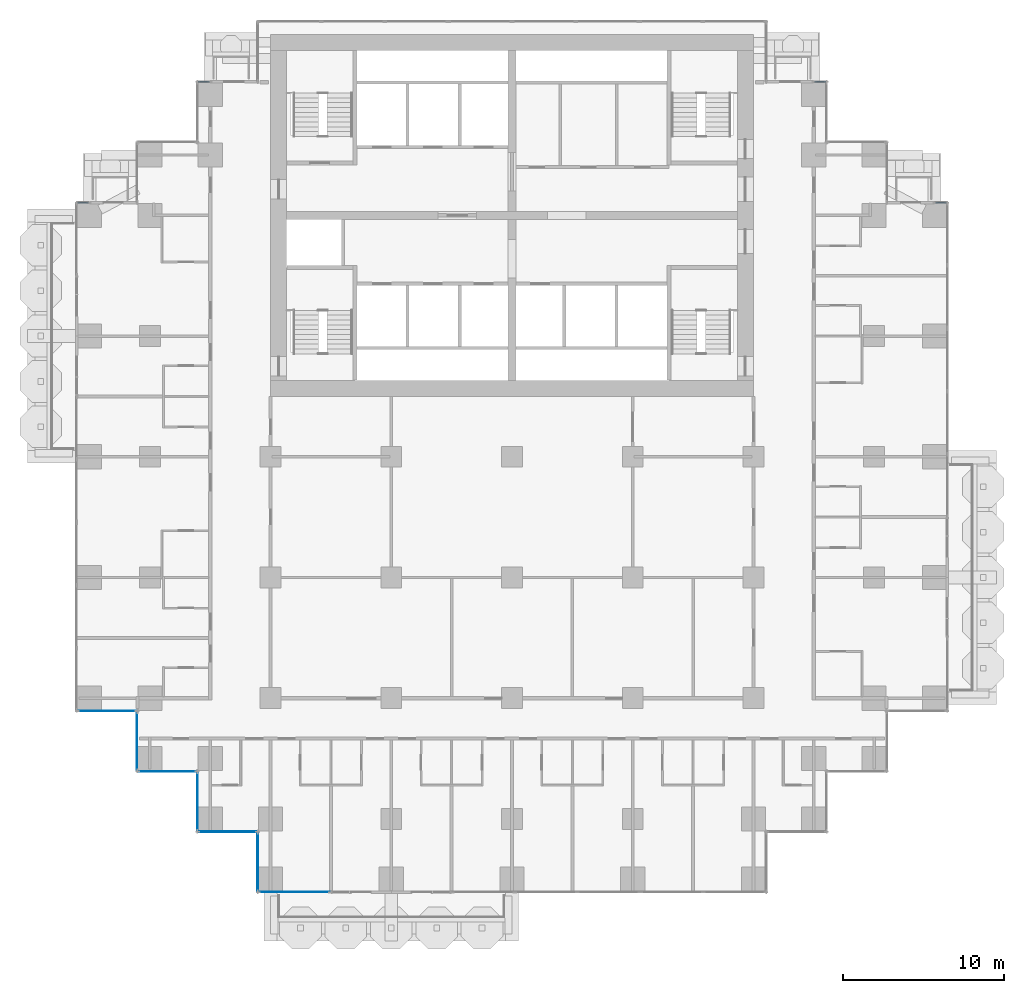
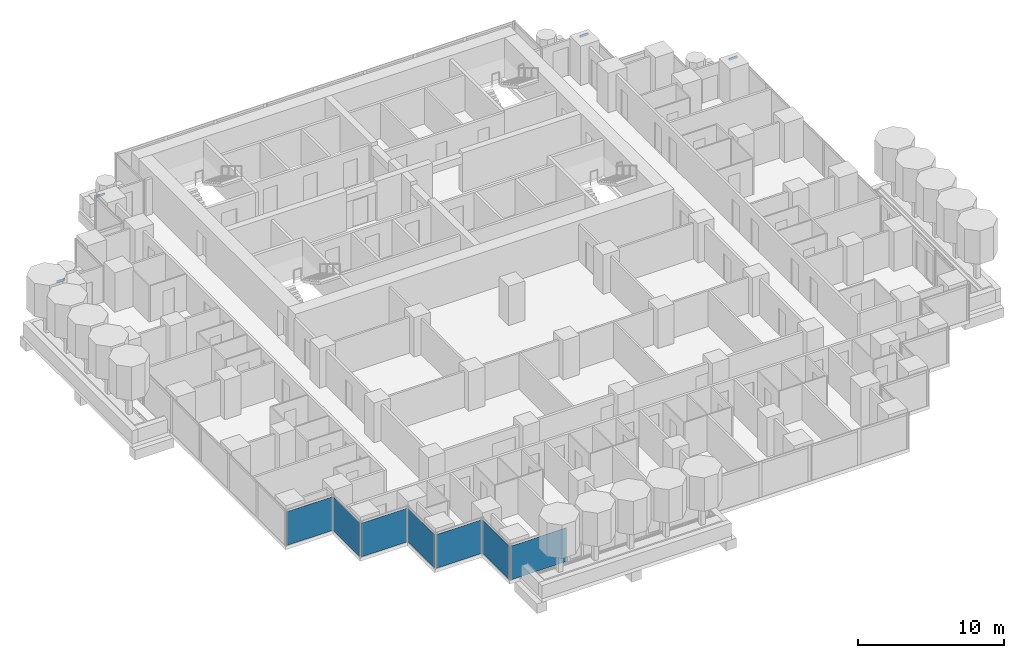
# One storey, part 7 of 19: 7 plates, 4 members, 11 elements without a shape of their own.
"""IFC4 building model written with IfcOpenShell, lengths in metres."""

import ifcopenshell
import ifcopenshell.guid

model = None  # the IFC model being written
_history = None  # IfcOwnerHistory: only IFC2X3 demands one
_inside = {}  # id of a spatial element -> (the spatial element, [elements in it])
_under = {}  # id of a project, library or spatial element -> (it, [spatial elements below it])
_declared = {}  # id of a project -> (the project, [libraries it declares])
_typed = {}  # id of a type object -> (the type object, [elements of that type])
_made_of = {}  # id of a material, layer set ... -> (it, [elements and type objects made of it])


def new_model(schema):
    """Start an empty IFC model of exactly this schema.

    Asked for "IFC4X3", IfcOpenShell would pick the latest addendum, in which some entities
    have other attributes; the version numbers below select the first issue.
    IFC2X3 requires an IfcOwnerHistory on every rooted entity: one is made here for all.
    """
    global model, _history
    if schema == "IFC4X3":
        model = ifcopenshell.file(schema_version=(4, 3, 0, 0))
    else:
        model = ifcopenshell.file(schema=schema)
    _inside.clear()
    _under.clear()
    _declared.clear()
    _typed.clear()
    _made_of.clear()
    _history = None
    if model.schema == "IFC2X3":
        org = make("IfcOrganization", Name="unknown")
        user = make(
            "IfcPersonAndOrganization",
            ThePerson=make("IfcPerson", FamilyName="unknown"),
            TheOrganization=org,
        )
        app = make(
            "IfcApplication",
            ApplicationDeveloper=org,
            Version="unknown",
            ApplicationFullName="unknown",
            ApplicationIdentifier="unknown",
        )
        _history = make(
            "IfcOwnerHistory",
            OwningUser=user,
            OwningApplication=app,
            ChangeAction="ADDED",
            CreationDate=0,
        )
    return model


def make(cls, **values):
    """One entity of the class cls with the attributes given. An attribute that is None is left unset."""
    return model.create_entity(
        cls, **{name: value for name, value in values.items() if value is not None}
    )


def rooted(cls, **values):
    """An entity with a GlobalId (a new one), such as an element, a storey or a relation."""
    return make(cls, GlobalId=ifcopenshell.guid.new(), OwnerHistory=_history, **values)


def si_unit(unit_type, name, prefix=None):
    """IfcSIUnit, for example si_unit("LENGTHUNIT", "METRE", prefix="MILLI")."""
    return make("IfcSIUnit", UnitType=unit_type, Prefix=prefix, Name=name)


def assignment(units):
    """IfcUnitAssignment: the units of a project."""
    return None if units is None else make("IfcUnitAssignment", Units=units)


def point(xyz):
    """IfcCartesianPoint."""
    return None if xyz is None else make("IfcCartesianPoint", Coordinates=xyz)


def direction(xyz):
    """IfcDirection."""
    return None if xyz is None else make("IfcDirection", DirectionRatios=xyz)


def frame(location, z_axis=None, x_axis=None):
    """IfcAxis2Placement3D, a coordinate frame: its origin and axes. An axis left out is left unset."""
    return make(
        "IfcAxis2Placement3D",
        Location=point(location),
        Axis=direction(z_axis),
        RefDirection=direction(x_axis),
    )


def frame_2d(location, x_axis=None):
    """IfcAxis2Placement2D, a coordinate frame in the plane: its origin and x axis."""
    return make(
        "IfcAxis2Placement2D", Location=point(location), RefDirection=direction(x_axis)
    )


def origin():
    """The frame at (0, 0, 0) with its axes left unset."""
    return frame((0.0, 0.0, 0.0))


def origin_2d():
    """The frame at (0, 0) in the plane with its x axis left unset."""
    return frame_2d((0.0, 0.0))


def place(relative_to, where):
    """IfcLocalPlacement: puts the frame where relative to a parent placement (None: the world)."""
    return make(
        "IfcLocalPlacement", PlacementRelTo=relative_to, RelativePlacement=where
    )


def context(
    kind, dimensions, precision=None, world=None, true_north=None, identifier=None
):
    """IfcGeometricRepresentationContext, for example the 3D "Model" context."""
    return make(
        "IfcGeometricRepresentationContext",
        ContextIdentifier=identifier,
        ContextType=kind,
        CoordinateSpaceDimension=dimensions,
        Precision=precision,
        WorldCoordinateSystem=world,
        TrueNorth=true_north,
    )


def subcontext(parent, identifier, kind, view, scale=None):
    """IfcGeometricRepresentationSubContext, for example "Body" below "Model"."""
    return make(
        "IfcGeometricRepresentationSubContext",
        ContextIdentifier=identifier,
        ContextType=kind,
        ParentContext=parent,
        TargetScale=scale,
        TargetView=view,
    )


def project(units=None, contexts=None):
    """IfcProject with its units and contexts."""
    return rooted(
        "IfcProject",
        Name="project",
        RepresentationContexts=contexts,
        UnitsInContext=assignment(units),
    )


def spatial(cls, under=None, at=None, **own):
    """A site, building, storey or space (cls), placed at a placement, below another one or the project."""
    s = rooted(cls, ObjectPlacement=at, **own)
    if under is not None:
        _under.setdefault(under.id(), (under, []))[1].append(s)
    return s


def profile(cls, at=None, kind="AREA", **sizes):
    """A parametric profile (cls). Its sizes go by their IFC names, for example OverallWidth=200.0."""
    return make(cls, ProfileType=kind, Position=at, **sizes)


def rectangle(**sizes):
    """IfcRectangleProfileDef."""
    return profile("IfcRectangleProfileDef", **sizes)


def extrude(swept, where, along, depth):
    """IfcExtrudedAreaSolid: the profile swept, set in the frame where, extruded along a direction by depth."""
    return make(
        "IfcExtrudedAreaSolid",
        SweptArea=swept,
        Position=where,
        ExtrudedDirection=direction(along),
        Depth=depth,
    )


def shape(context_of_items, identifier, shape_type, items):
    """IfcShapeRepresentation: the items that make up one representation, for example the "Body"."""
    return make(
        "IfcShapeRepresentation",
        ContextOfItems=context_of_items,
        RepresentationIdentifier=identifier,
        RepresentationType=shape_type,
        Items=items,
    )


def material(Name=None, Category=None):
    """IfcMaterial."""
    return make("IfcMaterial", Name=Name, Category=Category)


def layer(
    of_material, thickness, ventilated=None, Name=None, Category=None, Priority=None
):
    """IfcMaterialLayer: one layer of a wall or slab, of a material (None: an air gap)."""
    return make(
        "IfcMaterialLayer",
        Material=of_material,
        LayerThickness=thickness,
        IsVentilated=ventilated,
        Name=Name,
        Category=Category,
        Priority=Priority,
    )


def layer_set(layers, Name=None):
    """IfcMaterialLayerSet."""
    return make("IfcMaterialLayerSet", MaterialLayers=layers, LayerSetName=Name)


def material_profile(
    of_material, cross_section, Name=None, Category=None, Priority=None
):
    """IfcMaterialProfile: a cross section and its material."""
    return make(
        "IfcMaterialProfile",
        Name=Name,
        Material=of_material,
        Profile=cross_section,
        Priority=Priority,
        Category=Category,
    )


def profile_set(profiles, Name=None, composite=None):
    """IfcMaterialProfileSet."""
    return make(
        "IfcMaterialProfileSet",
        Name=Name,
        MaterialProfiles=profiles,
        CompositeProfile=composite,
    )


def made_of(thing, what):
    """Note that an element or type object is made of a material, layer set ...; save() writes the relation."""
    if what is not None:
        _made_of.setdefault(what.id(), (what, []))[1].append(thing)
    return thing


def type_object(cls, material=None, **own):
    """A type object (cls), such as IfcWallType, which elements share."""
    return made_of(rooted(cls, **own), material)


def element(
    cls,
    number,
    at=None,
    inside=None,
    cuts=None,
    type_object=None,
    material=None,
    context=None,
    identifier="Body",
    shape_type=None,
    held_by="IfcProductDefinitionShape",
    body=None,
    shapes=None,
    **own,
):
    """One element of the class cls, such as IfcWall. Its Tag is "e" and its number.

    at: its placement. inside: the storey or other place that contains it. cuts: it is an
    opening in that element (IfcRelVoidsElement). A single representation is given by context,
    identifier, shape_type and body (its items); several are given by shapes. held_by: the class
    of the entity that holds the representations. save() writes the other relations.
    """
    e = rooted(cls, Tag="e%d" % number, ObjectPlacement=at, **own)
    if body is not None:
        shapes = [shape(context, identifier, shape_type, body)]
    if shapes is not None:
        e.Representation = make(held_by, Representations=shapes)
    if inside is not None:
        _inside.setdefault(inside.id(), (inside, []))[1].append(e)
    if cuts is not None:
        rooted(
            "IfcRelVoidsElement", RelatingBuildingElement=cuts, RelatedOpeningElement=e
        )
    if type_object is not None:
        _typed.setdefault(type_object.id(), (type_object, []))[1].append(e)
    return made_of(e, material)


def aggregate(whole, parts):
    """IfcRelAggregates: a whole, such as a stair, and the parts it consists of."""
    return rooted("IfcRelAggregates", RelatingObject=whole, RelatedObjects=parts)


def save(model, path):
    """Write the relations noted so far, then the file.

    IfcRelAggregates (storeys below a building ...), IfcRelContainedInSpatialStructure (elements
    in a storey), IfcRelDefinesByType, IfcRelAssociatesMaterial and IfcRelDeclares: one each for
    every whole, place, type object, material and project.
    """
    for whole, parts in _under.values():
        aggregate(whole, parts)
    for where, things in _inside.values():
        rooted(
            "IfcRelContainedInSpatialStructure",
            RelatedElements=things,
            RelatingStructure=where,
        )
    for kind, things in _typed.values():
        rooted("IfcRelDefinesByType", RelatedObjects=things, RelatingType=kind)
    for what, things in _made_of.values():
        rooted("IfcRelAssociatesMaterial", RelatedObjects=things, RelatingMaterial=what)
    for by, libraries in _declared.values():
        rooted("IfcRelDeclares", RelatingContext=by, RelatedDefinitions=libraries)
    model.write(path)


model = new_model("IFC4")

# Units and contexts
model_context = context("Model", 3, precision=1e-05, world=origin(), true_north=direction((0.0, 1.0)))
body_context = subcontext(model_context, "Body", "Model", "MODEL_VIEW")
ifc_project = project(units=[si_unit("LENGTHUNIT", "METRE"), si_unit("AREAUNIT", "SQUARE_METRE"), si_unit("VOLUMEUNIT", "CUBIC_METRE"), si_unit("PLANEANGLEUNIT", "RADIAN"), si_unit("MASSUNIT", "GRAM", prefix="KILO")], contexts=[model_context])

# Site, building, storey
site_placement = place(None, origin())
site = spatial("IfcSite", under=ifc_project, at=site_placement, CompositionType="ELEMENT")
building_placement = place(site_placement, origin())
building = spatial("IfcBuilding", under=site, at=building_placement, Name="Pilkhan Gate Tower", CompositionType="ELEMENT")
storey_placement = place(building_placement, frame((0.0, 0.0, 69.199951171875)))
storey = spatial("IfcBuildingStorey", under=building, at=storey_placement, Name="L15", CompositionType="ELEMENT", Elevation=69.199951171875)

# Curtain wall, member
ifc_material_1 = material(Name="Pale anodised aluminium, clear low-iron double glazing", Category="aluminium")
curtain_wall_type = type_object("IfcCurtainWallType", Name="Hotel unitised curtain wall CW-H", PredefinedType="USERDEFINED", material=ifc_material_1)
curtain_wall_1_placement = place(storey_placement, origin())
curtain_wall_1 = element("IfcCurtainWall", 1, at=curtain_wall_1_placement, inside=storey, type_object=curtain_wall_type, Name="Hotel unitised curtain wall CW-H L15 N", ObjectType="UNITISED CURTAIN WALL", PredefinedType="USERDEFINED")
ifc_material_2 = material(Name="Pale anodised aluminium", Category="aluminium")
ifc_material_profile = material_profile(ifc_material_2, rectangle(XDim=0.06494140625, YDim=0.179931640625, at=origin_2d()), Name="Transom 180x65")
ifc_profile_set = profile_set([ifc_material_profile], Name="Pale anodised aluminium")
member_type = type_object("IfcMemberType", Name="Transom CW-H 180x65", PredefinedType="USERDEFINED", material=ifc_profile_set)
member_1_placement = place(storey_placement, frame((101.31494140625, 83.294921875, 2.91015625), z_axis=(1.0, 0.0, 0.0), x_axis=(0.0, 1.0, 0.0)))
member_1 = element("IfcMember", 2, at=member_1_placement, type_object=member_type, Name="CW-H transom 1", ObjectType="TRANSOM", PredefinedType="USERDEFINED", context=body_context, shape_type="SweptSolid", body=[
    extrude(rectangle(XDim=0.06494140625, YDim=0.179931640625, at=origin_2d()), origin(), (0.0, 0.0, 1.0), 0.6650390625),
])
aggregate(curtain_wall_1, [member_1])

curtain_wall_2_placement = place(storey_placement, origin())
curtain_wall_2 = element("IfcCurtainWall", 3, at=curtain_wall_2_placement, inside=storey, type_object=curtain_wall_type, Name="Hotel unitised curtain wall CW-H L15 N", ObjectType="UNITISED CURTAIN WALL", PredefinedType="USERDEFINED")
member_2_placement = place(storey_placement, frame((93.81494140625, 90.794921875, 2.91015625), z_axis=(1.0, 0.0, 0.0), x_axis=(0.0, 1.0, 0.0)))
member_2 = element("IfcMember", 4, at=member_2_placement, type_object=member_type, Name="CW-H transom 1", ObjectType="TRANSOM", PredefinedType="USERDEFINED", context=body_context, shape_type="SweptSolid", body=[
    extrude(rectangle(XDim=0.06494140625, YDim=0.179931640625, at=origin_2d()), origin(), (0.0, 0.0, 1.0), 0.6650390625),
])
aggregate(curtain_wall_2, [member_2])

curtain_wall_3_placement = place(storey_placement, origin())
curtain_wall_3 = element("IfcCurtainWall", 5, at=curtain_wall_3_placement, inside=storey, type_object=curtain_wall_type, Name="Hotel unitised curtain wall CW-H L15 N", ObjectType="UNITISED CURTAIN WALL", PredefinedType="USERDEFINED")
member_3_placement = place(storey_placement, frame((55.52001953125, 90.794921875, 2.91015625), z_axis=(1.0, 0.0, 0.0), x_axis=(0.0, 1.0, 0.0)))
member_3 = element("IfcMember", 6, at=member_3_placement, type_object=member_type, Name="CW-H transom 1", ObjectType="TRANSOM", PredefinedType="USERDEFINED", context=body_context, shape_type="SweptSolid", body=[
    extrude(rectangle(XDim=0.06494140625, YDim=0.179931640625, at=origin_2d()), origin(), (0.0, 0.0, 1.0), 0.6650390625),
])
aggregate(curtain_wall_3, [member_3])

curtain_wall_4_placement = place(storey_placement, origin())
curtain_wall_4 = element("IfcCurtainWall", 7, at=curtain_wall_4_placement, inside=storey, type_object=curtain_wall_type, Name="Hotel unitised curtain wall CW-H L15 N", ObjectType="UNITISED CURTAIN WALL", PredefinedType="USERDEFINED")
member_4_placement = place(storey_placement, frame((48.02001953125, 83.294921875, 2.91015625), z_axis=(1.0, 0.0, 0.0), x_axis=(0.0, 1.0, 0.0)))
member_4 = element("IfcMember", 8, at=member_4_placement, type_object=member_type, Name="CW-H transom 1", ObjectType="TRANSOM", PredefinedType="USERDEFINED", context=body_context, shape_type="SweptSolid", body=[
    extrude(rectangle(XDim=0.06494140625, YDim=0.179931640625, at=origin_2d()), origin(), (0.0, 0.0, 1.0), 0.6650390625),
])
aggregate(curtain_wall_4, [member_4])

# Curtain wall, plate
curtain_wall_5_placement = place(storey_placement, origin())
curtain_wall_5 = element("IfcCurtainWall", 9, at=curtain_wall_5_placement, inside=storey, type_object=curtain_wall_type, Name="Hotel unitised curtain wall CW-H L15 S", ObjectType="UNITISED CURTAIN WALL", PredefinedType="USERDEFINED")
ifc_material_3 = material(Name="Clear low-iron double glazing", Category="glass")
ifc_layer = layer(ifc_material_3, 0.035888671875)
ifc_layer_set = layer_set([ifc_layer], Name="Glass panel CW-H 36")
plate_type = type_object("IfcPlateType", Name="Glass panel CW-H 36", PredefinedType="CURTAIN_PANEL", material=ifc_layer_set)
plate_1_placement = place(storey_placement, frame((49.830078125, 51.705078125, 0.0), z_axis=(0.0, 0.0, 1.0), x_axis=(1.0, 0.0, 0.0)))
plate_1 = element("IfcPlate", 10, at=plate_1_placement, type_object=plate_type, Name="CW-H panel 1", PredefinedType="CURTAIN_PANEL", context=body_context, shape_type="SweptSolid", body=[
    extrude(rectangle(XDim=3.6201171875, YDim=0.035888671875, at=origin_2d()), origin(), (0.0, 0.0, 1.0), 2.820068359375),
])
aggregate(curtain_wall_5, [plate_1])

curtain_wall_6_placement = place(storey_placement, origin())
curtain_wall_6 = element("IfcCurtainWall", 11, at=curtain_wall_6_placement, inside=storey, type_object=curtain_wall_type, Name="Hotel unitised curtain wall CW-H L15 W", ObjectType="UNITISED CURTAIN WALL", PredefinedType="USERDEFINED")
plate_2_placement = place(storey_placement, frame((51.705078125, 49.830078125, 0.0), z_axis=(0.0, 0.0, 1.0), x_axis=(0.0, 1.0, 0.0)))
plate_2 = element("IfcPlate", 12, at=plate_2_placement, type_object=plate_type, Name="CW-H panel 1", PredefinedType="CURTAIN_PANEL", context=body_context, shape_type="SweptSolid", body=[
    extrude(rectangle(XDim=3.6201171875, YDim=0.035888671875, at=origin_2d()), origin(), (0.0, 0.0, 1.0), 2.820068359375),
])
aggregate(curtain_wall_6, [plate_2])

curtain_wall_7_placement = place(storey_placement, origin())
curtain_wall_7 = element("IfcCurtainWall", 13, at=curtain_wall_7_placement, inside=storey, type_object=curtain_wall_type, Name="Hotel unitised curtain wall CW-H L15 S", ObjectType="UNITISED CURTAIN WALL", PredefinedType="USERDEFINED")
plate_3_placement = place(storey_placement, frame((53.580078125, 47.955078125, 0.0), z_axis=(0.0, 0.0, 1.0), x_axis=(1.0, 0.0, 0.0)))
plate_3 = element("IfcPlate", 14, at=plate_3_placement, type_object=plate_type, Name="CW-H panel 1", PredefinedType="CURTAIN_PANEL", context=body_context, shape_type="SweptSolid", body=[
    extrude(rectangle(XDim=3.6201171875, YDim=0.035888671875, at=origin_2d()), origin(), (0.0, 0.0, 1.0), 2.820068359375),
])
aggregate(curtain_wall_7, [plate_3])

curtain_wall_8_placement = place(storey_placement, origin())
curtain_wall_8 = element("IfcCurtainWall", 15, at=curtain_wall_8_placement, inside=storey, type_object=curtain_wall_type, Name="Hotel unitised curtain wall CW-H L15 W", ObjectType="UNITISED CURTAIN WALL", PredefinedType="USERDEFINED")
plate_4_placement = place(storey_placement, frame((55.455078125, 46.080078125, 0.0), z_axis=(0.0, 0.0, 1.0), x_axis=(0.0, 1.0, 0.0)))
plate_4 = element("IfcPlate", 16, at=plate_4_placement, type_object=plate_type, Name="CW-H panel 1", PredefinedType="CURTAIN_PANEL", context=body_context, shape_type="SweptSolid", body=[
    extrude(rectangle(XDim=3.6201171875, YDim=0.035888671875, at=origin_2d()), origin(), (0.0, 0.0, 1.0), 2.820068359375),
])
aggregate(curtain_wall_8, [plate_4])

curtain_wall_9_placement = place(storey_placement, origin())
curtain_wall_9 = element("IfcCurtainWall", 17, at=curtain_wall_9_placement, inside=storey, type_object=curtain_wall_type, Name="Hotel unitised curtain wall CW-H L15 S", ObjectType="UNITISED CURTAIN WALL", PredefinedType="USERDEFINED")
plate_5_placement = place(storey_placement, frame((57.330078125, 44.205078125, 0.0), z_axis=(0.0, 0.0, 1.0), x_axis=(1.0, 0.0, 0.0)))
plate_5 = element("IfcPlate", 18, at=plate_5_placement, type_object=plate_type, Name="CW-H panel 1", PredefinedType="CURTAIN_PANEL", context=body_context, shape_type="SweptSolid", body=[
    extrude(rectangle(XDim=3.6201171875, YDim=0.035888671875, at=origin_2d()), origin(), (0.0, 0.0, 1.0), 2.820068359375),
])
aggregate(curtain_wall_9, [plate_5])

curtain_wall_10_placement = place(storey_placement, origin())
curtain_wall_10 = element("IfcCurtainWall", 19, at=curtain_wall_10_placement, inside=storey, type_object=curtain_wall_type, Name="Hotel unitised curtain wall CW-H L15 W", ObjectType="UNITISED CURTAIN WALL", PredefinedType="USERDEFINED")
plate_6_placement = place(storey_placement, frame((59.205078125, 42.330078125, 0.0), z_axis=(0.0, 0.0, 1.0), x_axis=(0.0, 1.0, 0.0)))
plate_6 = element("IfcPlate", 20, at=plate_6_placement, type_object=plate_type, Name="CW-H panel 1", PredefinedType="CURTAIN_PANEL", context=body_context, shape_type="SweptSolid", body=[
    extrude(rectangle(XDim=3.6201171875, YDim=0.035888671875, at=origin_2d()), origin(), (0.0, 0.0, 1.0), 2.820068359375),
])
aggregate(curtain_wall_10, [plate_6])

curtain_wall_11_placement = place(storey_placement, origin())
curtain_wall_11 = element("IfcCurtainWall", 21, at=curtain_wall_11_placement, inside=storey, type_object=curtain_wall_type, Name="Hotel unitised curtain wall CW-H L15 S", ObjectType="UNITISED CURTAIN WALL", PredefinedType="USERDEFINED")
plate_7_placement = place(storey_placement, frame((61.4775390625, 40.455078125, 0.0), z_axis=(0.0, 0.0, 1.0), x_axis=(1.0, 0.0, 0.0)))
plate_7 = element("IfcPlate", 22, at=plate_7_placement, type_object=plate_type, Name="CW-H panel 1", PredefinedType="CURTAIN_PANEL", context=body_context, shape_type="SweptSolid", body=[
    extrude(rectangle(XDim=4.4150390625, YDim=0.035888671875, at=origin_2d()), origin(), (0.0, 0.0, 1.0), 2.820068359375),
])
aggregate(curtain_wall_11, [plate_7])

save(model, "model.ifc")
